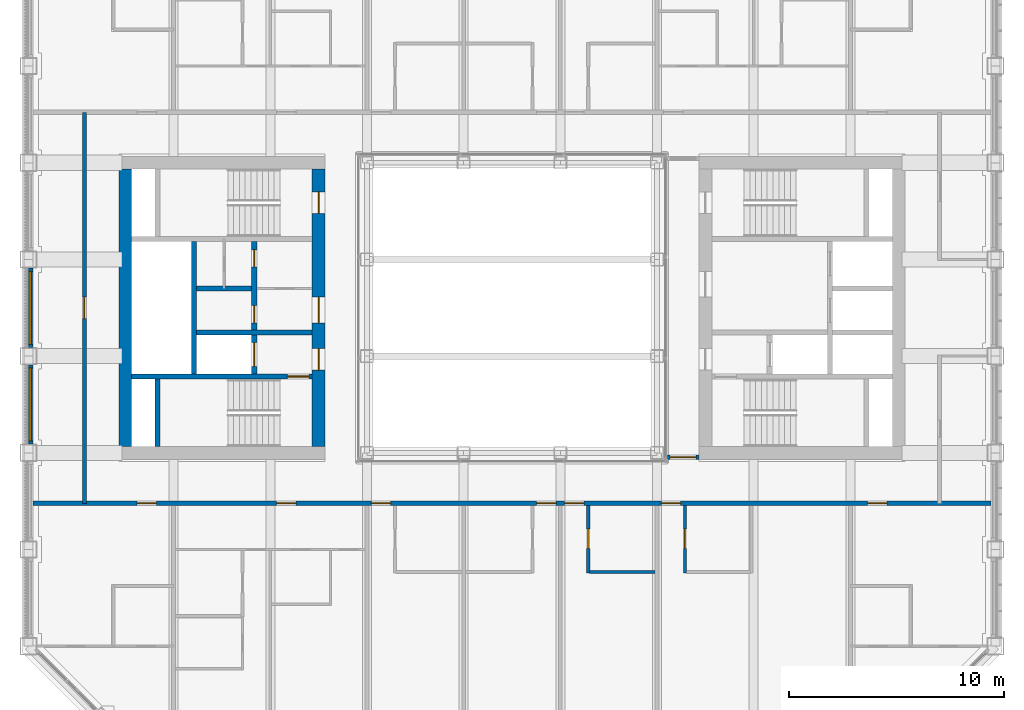
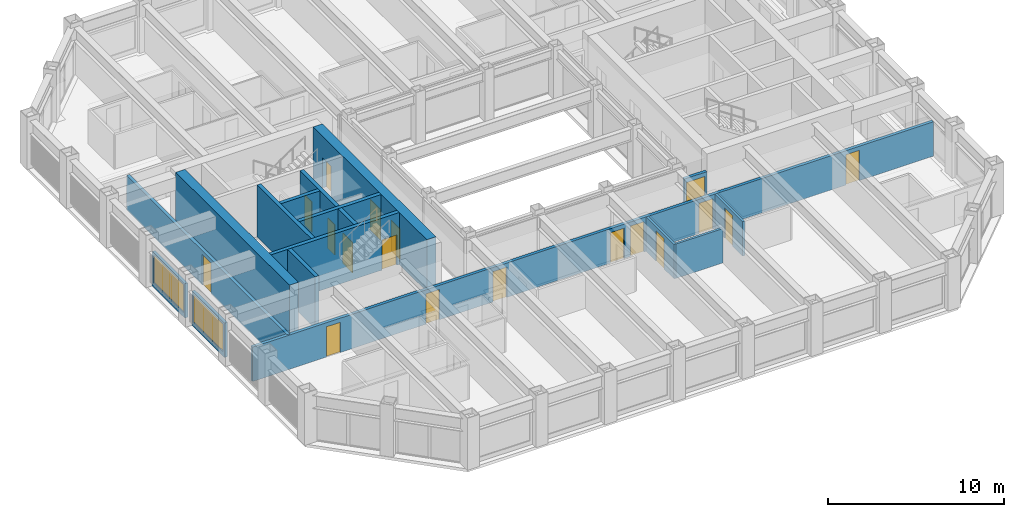
# One storey, part 11 of 18: 18 doors, 16 walls, 2 windows, 20 openings.
"""IFC4 building model written with IfcOpenShell, lengths in metres."""

from ifc_helpers import new_model, si_unit, direction, frame, frame_2d, origin, place, context, subcontext, project, spatial, rectangle, extrude, material, layer, layer_set, type_object, element, fill, save


model = new_model("IFC4")

# Units and contexts
model_context = context("Model", 3, precision=1e-05, world=origin(), true_north=direction((0.0, 1.0)))
body_context = subcontext(model_context, "Body", "Model", "MODEL_VIEW")
ifc_project = project(units=[si_unit("LENGTHUNIT", "METRE"), si_unit("AREAUNIT", "SQUARE_METRE"), si_unit("VOLUMEUNIT", "CUBIC_METRE"), si_unit("PLANEANGLEUNIT", "RADIAN"), si_unit("MASSUNIT", "GRAM", prefix="KILO")], contexts=[model_context])

# Site, building, storey
site_placement = place(None, origin())
site = spatial("IfcSite", under=ifc_project, at=site_placement, CompositionType="ELEMENT")
building_placement = place(site_placement, origin())
building = spatial("IfcBuilding", under=site, at=building_placement, Name="Msasa Ring Tower", CompositionType="ELEMENT")
storey_placement = place(building_placement, frame((0.0, 0.0, 186.800048828125)))
storey = spatial("IfcBuildingStorey", under=building, at=storey_placement, Name="L49", CompositionType="ELEMENT", Elevation=186.800048828125)

# Wall, openings, doors
ifc_material_1 = material(Name="Concrete C60/75", Category="concrete")
ifc_layer_1 = layer(ifc_material_1, 0.60009765625)
ifc_layer_set_1 = layer_set([ifc_layer_1], Name="CW2 CORE WALL 600")
wall_type_1 = type_object("IfcWallType", Name="CW2 CORE WALL 600", PredefinedType="SHEAR", material=ifc_layer_set_1)
wall_1_placement = place(storey_placement, frame((-9.0, -6.449951171875, 0.0), z_axis=(0.0, 0.0, 1.0), x_axis=(0.0, 1.0, 0.0)))
wall_1 = element("IfcWall", 1, at=wall_1_placement, inside=storey, type_object=wall_type_1, Name="W core wall W L49", PredefinedType="SHEAR", context=body_context, shape_type="SweptSolid", body=[
    extrude(rectangle(XDim=12.89990234375, YDim=0.60009765625, at=frame_2d((6.449951171875, 0.0))), origin(), (0.0, 0.0, 1.0), 3.599853515625),
])
opening_1_placement = place(wall_1_placement, frame((3.550048828125, 0.0, 0.0)))
opening_1 = element("IfcOpeningElement", 2, at=opening_1_placement, cuts=wall_1, Name="Opening HG-034", PredefinedType="OPENING", context=body_context, shape_type="SweptSolid", body=[
    extrude(rectangle(XDim=1.0, YDim=2.10009765625, at=frame_2d((0.5, 1.050048828125))), frame((0.0, 0.31005859375, 0.0), z_axis=(0.0, -1.0, 0.0), x_axis=(1.0, 0.0, 0.0)), (0.0, 0.0, 1.0), 0.6201171875),
])
opening_2_placement = place(wall_1_placement, frame((5.75, 0.0, 0.0)))
opening_2 = element("IfcOpeningElement", 3, at=opening_2_placement, cuts=wall_1, Name="Opening HG-032", PredefinedType="OPENING", context=body_context, shape_type="SweptSolid", body=[
    extrude(rectangle(XDim=1.199951171875, YDim=2.10009765625, at=frame_2d((0.60009765625, 1.050048828125))), frame((0.0, 0.31005859375, 0.0), z_axis=(0.0, -1.0, 0.0), x_axis=(1.0, 0.0, 0.0)), (0.0, 0.0, 1.0), 0.6201171875),
])
opening_3_placement = place(wall_1_placement, frame((10.85009765625, 0.0, 0.0)))
opening_3 = element("IfcOpeningElement", 4, at=opening_3_placement, cuts=wall_1, Name="Opening HG-025", PredefinedType="OPENING", context=body_context, shape_type="SweptSolid", body=[
    extrude(rectangle(XDim=1.0, YDim=2.10009765625, at=frame_2d((0.5, 1.050048828125))), frame((0.0, 0.31005859375, 0.0), z_axis=(0.0, -1.0, 0.0), x_axis=(1.0, 0.0, 0.0)), (0.0, 0.0, 1.0), 0.6201171875),
])
ifc_material_2 = material(Name="Timber door leaf in a steel frame", Category="steel")
door_type_1 = type_object("IfcDoorType", Name="D4 LOBBY DOOR 1000x2100", OperationType="SINGLE_SWING_LEFT", PredefinedType="DOOR", material=ifc_material_2)
door_1_placement = place(opening_1_placement, origin())
door_1 = element("IfcDoor", 5, at=door_1_placement, inside=storey, type_object=door_type_1, Name="Door L49-WFFL", OperationType="SINGLE_SWING_LEFT", OverallHeight=2.10009765625, OverallWidth=1.0, PredefinedType="DOOR", context=body_context, shape_type="SweptSolid", body=[
    extrude(rectangle(XDim=1.0, YDim=2.10009765625, at=frame_2d((0.5, 1.050048828125))), frame((0.0, 0.02490234375, 0.0), z_axis=(0.0, -1.0, 0.0), x_axis=(1.0, 0.0, 0.0)), (0.0, 0.0, 1.0), 0.050048828125),
])
fill(opening_1, door_1)
ifc_material_3 = material(Name="Timber door leaf in a steel frame", Category="steel")
door_type_2 = type_object("IfcDoorType", Name="D5 WIDE LOBBY DOOR 1200x2100", OperationType="SINGLE_SWING_LEFT", PredefinedType="DOOR", material=ifc_material_3)
door_2_placement = place(opening_2_placement, origin())
door_2 = element("IfcDoor", 6, at=door_2_placement, inside=storey, type_object=door_type_2, Name="Door L49-WLL", OperationType="SINGLE_SWING_LEFT", OverallHeight=2.10009765625, OverallWidth=1.199951171875, PredefinedType="DOOR", context=body_context, shape_type="SweptSolid", body=[
    extrude(rectangle(XDim=1.199951171875, YDim=2.10009765625, at=frame_2d((0.60009765625, 1.050048828125))), frame((0.0, 0.02490234375, 0.0), z_axis=(0.0, -1.0, 0.0), x_axis=(1.0, 0.0, 0.0)), (0.0, 0.0, 1.0), 0.050048828125),
])
fill(opening_2, door_2)
ifc_material_4 = material(Name="Timber door leaf in a steel frame", Category="steel")
door_type_3 = type_object("IfcDoorType", Name="D6 STAIR DOOR 1000x2100", OperationType="SINGLE_SWING_LEFT", PredefinedType="DOOR", material=ifc_material_4)
door_3_placement = place(opening_3_placement, origin())
door_3 = element("IfcDoor", 7, at=door_3_placement, inside=storey, type_object=door_type_3, Name="Door L49-WSTB", OperationType="SINGLE_SWING_RIGHT", OverallHeight=2.10009765625, OverallWidth=1.0, PredefinedType="DOOR", context=body_context, shape_type="SweptSolid", body=[
    extrude(rectangle(XDim=1.0, YDim=2.10009765625, at=frame_2d((0.5, 1.050048828125))), frame((0.0, 0.02490234375, 0.0), z_axis=(0.0, -1.0, 0.0), x_axis=(1.0, 0.0, 0.0)), (0.0, 0.0, 1.0), 0.050048828125),
])
fill(opening_3, door_3)

# Wall
wall_2_placement = place(storey_placement, frame((-18.0, -6.449951171875, 0.0), z_axis=(0.0, 0.0, 1.0), x_axis=(0.0, 1.0, 0.0)))
element("IfcWall", 8, at=wall_2_placement, inside=storey, type_object=wall_type_1, Name="W core wall E L49", PredefinedType="SHEAR", context=body_context, shape_type="SweptSolid", body=[
    extrude(rectangle(XDim=12.89990234375, YDim=0.60009765625, at=frame_2d((6.449951171875, 0.0))), origin(), (0.0, 0.0, 1.0), 3.599853515625),
])

# Wall, opening, door
ifc_material_5 = material(Name="Concrete C60/75", Category="concrete")
ifc_layer_2 = layer(ifc_material_5, 0.25)
ifc_layer_set_2 = layer_set([ifc_layer_2], Name="CW4 CORE INNER WALL 250")
wall_type_2 = type_object("IfcWallType", Name="CW4 CORE INNER WALL 250", PredefinedType="SHEAR", material=ifc_layer_set_2)
wall_3_placement = place(storey_placement, frame((-9.300048828125, -3.199951171875, 0.0), z_axis=(0.0, 0.0, 1.0), x_axis=(-1.0, 0.0, 0.0)))
wall_3 = element("IfcWall", 9, at=wall_3_placement, inside=storey, type_object=wall_type_2, Name="W core wall STAIRA L49", PredefinedType="SHEAR", context=body_context, shape_type="SweptSolid", body=[
    extrude(rectangle(XDim=8.39990234375, YDim=0.25, at=frame_2d((4.199951171875, 0.0))), origin(), (0.0, 0.0, 1.0), 3.599853515625),
])
opening_4_placement = place(wall_3_placement, frame((0.14990234375, 0.0, 0.0)))
opening_4 = element("IfcOpeningElement", 10, at=opening_4_placement, cuts=wall_3, Name="Opening HG-036", PredefinedType="OPENING", context=body_context, shape_type="SweptSolid", body=[
    extrude(rectangle(XDim=1.0, YDim=2.10009765625, at=frame_2d((0.5, 1.050048828125))), frame((0.0, 0.135009765625, 0.0), z_axis=(0.0, -1.0, 0.0), x_axis=(1.0, 0.0, 0.0)), (0.0, 0.0, 1.0), 0.27001953125),
])
door_4_placement = place(opening_4_placement, origin())
door_4 = element("IfcDoor", 11, at=door_4_placement, inside=storey, type_object=door_type_3, Name="Door L49-WSTA", OperationType="SINGLE_SWING_LEFT", OverallHeight=2.10009765625, OverallWidth=1.0, PredefinedType="DOOR", context=body_context, shape_type="SweptSolid", body=[
    extrude(rectangle(XDim=1.0, YDim=2.10009765625, at=frame_2d((0.5, 1.050048828125))), frame((0.0, 0.02490234375, 0.0), z_axis=(0.0, -1.0, 0.0), x_axis=(1.0, 0.0, 0.0)), (0.0, 0.0, 1.0), 0.050048828125),
])
fill(opening_4, door_4)

# Walls
wall_4_placement = place(storey_placement, frame((-16.5, -6.449951171875, 0.0), z_axis=(0.0, 0.0, 1.0), x_axis=(0.0, 1.0, 0.0)))
element("IfcWall", 12, at=wall_4_placement, inside=storey, type_object=wall_type_2, Name="W core wall RISERA L49", PredefinedType="SHEAR", context=body_context, shape_type="SweptSolid", body=[
    extrude(rectangle(XDim=3.125, YDim=0.25, at=frame_2d((1.5625, 0.0))), origin(), (0.0, 0.0, 1.0), 3.599853515625),
])
wall_5_placement = place(storey_placement, frame((-9.300048828125, -1.14990234375, 0.0), z_axis=(0.0, 0.0, 1.0), x_axis=(-1.0, 0.0, 0.0)))
element("IfcWall", 13, at=wall_5_placement, inside=storey, type_object=wall_type_2, Name="W core wall FFL L49", PredefinedType="SHEAR", context=body_context, shape_type="SweptSolid", body=[
    extrude(rectangle(XDim=5.375, YDim=0.25, at=frame_2d((2.6875, 0.0))), origin(), (0.0, 0.0, 1.0), 3.599853515625),
])

# Wall, openings, doors
wall_6_placement = place(storey_placement, frame((-12.0, -3.074951171875, 0.0), z_axis=(0.0, 0.0, 1.0), x_axis=(0.0, 1.0, 0.0)))
wall_6 = element("IfcWall", 14, at=wall_6_placement, inside=storey, type_object=wall_type_2, Name="W core wall LOBBY L49", PredefinedType="SHEAR", context=body_context, shape_type="SweptSolid", body=[
    extrude(rectangle(XDim=6.14990234375, YDim=0.25, at=frame_2d((3.074951171875, 0.0))), origin(), (0.0, 0.0, 1.0), 3.599853515625),
])
opening_5_placement = place(wall_6_placement, frame((2.375, 0.0, 0.0)))
opening_5 = element("IfcOpeningElement", 15, at=opening_5_placement, cuts=wall_6, Name="Opening HG-033", PredefinedType="OPENING", context=body_context, shape_type="SweptSolid", body=[
    extrude(rectangle(XDim=0.800048828125, YDim=2.10009765625, at=frame_2d((0.39990234375, 1.050048828125))), frame((0.0, 0.135009765625, 0.0), z_axis=(0.0, -1.0, 0.0), x_axis=(1.0, 0.0, 0.0)), (0.0, 0.0, 1.0), 0.27001953125),
])
opening_6_placement = place(wall_6_placement, frame((4.97509765625, 0.0, 0.0)))
opening_6 = element("IfcOpeningElement", 16, at=opening_6_placement, cuts=wall_6, Name="Opening HG-027", PredefinedType="OPENING", context=body_context, shape_type="SweptSolid", body=[
    extrude(rectangle(XDim=0.800048828125, YDim=2.10009765625, at=frame_2d((0.39990234375, 1.050048828125))), frame((0.0, 0.135009765625, 0.0), z_axis=(0.0, -1.0, 0.0), x_axis=(1.0, 0.0, 0.0)), (0.0, 0.0, 1.0), 0.27001953125),
])
opening_7_placement = place(wall_6_placement, frame((0.35009765625, 0.0, 0.0)))
opening_7 = element("IfcOpeningElement", 17, at=opening_7_placement, cuts=wall_6, Name="Opening LD1", PredefinedType="OPENING", context=body_context, shape_type="SweptSolid", body=[
    extrude(rectangle(XDim=1.10009765625, YDim=2.10009765625, at=frame_2d((0.550048828125, 1.050048828125))), frame((0.0, 0.135009765625, 0.0), z_axis=(0.0, -1.0, 0.0), x_axis=(1.0, 0.0, 0.0)), (0.0, 0.0, 1.0), 0.27001953125),
])
ifc_material_6 = material(Name="Timber door leaf in a steel frame", Category="steel")
door_type_4 = type_object("IfcDoorType", Name="D9 NARROW SERVICE DOOR 800x2100", OperationType="SINGLE_SWING_LEFT", PredefinedType="DOOR", material=ifc_material_6)
door_5_placement = place(opening_5_placement, origin())
door_5 = element("IfcDoor", 18, at=door_5_placement, inside=storey, type_object=door_type_4, Name="Door L49-WR1", OperationType="SINGLE_SWING_LEFT", OverallHeight=2.10009765625, OverallWidth=0.800048828125, PredefinedType="DOOR", context=body_context, shape_type="SweptSolid", body=[
    extrude(rectangle(XDim=0.800048828125, YDim=2.10009765625, at=frame_2d((0.39990234375, 1.050048828125))), frame((0.0, 0.02490234375, 0.0), z_axis=(0.0, -1.0, 0.0), x_axis=(1.0, 0.0, 0.0)), (0.0, 0.0, 1.0), 0.050048828125),
])
fill(opening_5, door_5)
door_6_placement = place(opening_6_placement, origin())
door_6 = element("IfcDoor", 19, at=door_6_placement, inside=storey, type_object=door_type_4, Name="Door L49-WR2", OperationType="SINGLE_SWING_RIGHT", OverallHeight=2.10009765625, OverallWidth=0.800048828125, PredefinedType="DOOR", context=body_context, shape_type="SweptSolid", body=[
    extrude(rectangle(XDim=0.800048828125, YDim=2.10009765625, at=frame_2d((0.39990234375, 1.050048828125))), frame((0.0, 0.02490234375, 0.0), z_axis=(0.0, -1.0, 0.0), x_axis=(1.0, 0.0, 0.0)), (0.0, 0.0, 1.0), 0.050048828125),
])
fill(opening_6, door_6)
ifc_material_7 = material(Name="Stainless steel lift landing door", Category="steel")
door_type_5 = type_object("IfcDoorType", Name="LD1 LIFT LANDING DOOR 1100x2100", OperationType="DOUBLE_DOOR_SLIDING", PredefinedType="DOOR", material=ifc_material_7)
door_7_placement = place(opening_7_placement, origin())
door_7 = element("IfcDoor", 20, at=door_7_placement, inside=storey, type_object=door_type_5, Name="Lift landing door FL-W L49", OperationType="DOUBLE_DOOR_SLIDING", OverallHeight=2.10009765625, OverallWidth=1.10009765625, PredefinedType="DOOR", context=body_context, shape_type="SweptSolid", body=[
    extrude(rectangle(XDim=1.10009765625, YDim=2.10009765625, at=frame_2d((0.550048828125, 1.050048828125))), frame((0.0, 0.02490234375, 0.0), z_axis=(0.0, -1.0, 0.0), x_axis=(1.0, 0.0, 0.0)), (0.0, 0.0, 1.0), 0.050048828125),
])
fill(opening_7, door_7)

# Walls
wall_7_placement = place(storey_placement, frame((-14.800048828125, -3.074951171875, 0.0), z_axis=(0.0, 0.0, 1.0), x_axis=(0.0, 1.0, 0.0)))
element("IfcWall", 21, at=wall_7_placement, inside=storey, type_object=wall_type_2, Name="W core wall SHAFT L49", PredefinedType="SHEAR", context=body_context, shape_type="SweptSolid", body=[
    extrude(rectangle(XDim=6.14990234375, YDim=0.25, at=frame_2d((3.074951171875, 0.0))), origin(), (0.0, 0.0, 1.0), 3.599853515625),
])
wall_8_placement = place(storey_placement, frame((-12.125, 0.89990234375, 0.0), z_axis=(0.0, 0.0, 1.0), x_axis=(-1.0, 0.0, 0.0)))
element("IfcWall", 22, at=wall_8_placement, inside=storey, type_object=wall_type_2, Name="W core wall LIFT1 L49", PredefinedType="SHEAR", context=body_context, shape_type="SweptSolid", body=[
    extrude(rectangle(XDim=2.550048828125, YDim=0.25, at=frame_2d((1.27490234375, 0.0))), origin(), (0.0, 0.0, 1.0), 3.599853515625),
])

# Wall, opening, window
ifc_material_8 = material(Name="Terracotta rainscreen on blockwork", Category="masonry")
ifc_layer_3 = layer(ifc_material_8, 0.199951171875)
ifc_layer_set_3 = layer_set([ifc_layer_3], Name="FW1 TERRACOTTA-LINED INFILL BAY WALL 200")
wall_type_3 = type_object("IfcWallType", Name="FW1 TERRACOTTA-LINED INFILL BAY WALL 200", PredefinedType="SOLIDWALL", material=ifc_layer_set_3)
wall_9_placement = place(storey_placement, frame((-22.39990234375, -6.344970703125, 0.0), z_axis=(0.0, 0.0, 1.0), x_axis=(0.0, 1.0, 0.0)))
wall_9 = element("IfcWall", 23, at=wall_9_placement, inside=storey, type_object=wall_type_3, Name="Infill bay wall W L49 29", PredefinedType="SOLIDWALL", context=body_context, shape_type="SweptSolid", body=[
    extrude(rectangle(XDim=3.68994140625, YDim=0.199951171875, at=frame_2d((1.844970703125, 0.0))), origin(), (0.0, 0.0, 1.0), 2.37890625),
])
opening_8_placement = place(wall_9_placement, frame((0.14501953125, 0.0, 0.300048828125)))
opening_8 = element("IfcOpeningElement", 24, at=opening_8_placement, cuts=wall_9, Name="Opening WN7", PredefinedType="OPENING", context=body_context, shape_type="SweptSolid", body=[
    extrude(rectangle(XDim=3.39990234375, YDim=1.928955078125, at=frame_2d((1.699951171875, 0.96435546875))), frame((0.0, 0.10986328125, 0.0), z_axis=(0.0, -1.0, 0.0), x_axis=(1.0, 0.0, 0.0)), (0.0, 0.0, 1.0), 0.219970703125),
])
ifc_material_9 = material(Name="Aluminium frame with clear glass", Category="aluminium")
window_type = type_object("IfcWindowType", Name="WN7 GUEST ROOM WINDOW 3400x1929", PartitioningType="SINGLE_PANEL", PredefinedType="WINDOW", material=ifc_material_9)
window_1_placement = place(opening_8_placement, origin())
window_1 = element("IfcWindow", 25, at=window_1_placement, inside=storey, type_object=window_type, Name="Window W L49 29", OverallHeight=1.928955078125, OverallWidth=3.39990234375, PartitioningType="SINGLE_PANEL", PredefinedType="WINDOW", context=body_context, shape_type="SweptSolid", body=[
    extrude(rectangle(XDim=3.39990234375, YDim=1.928955078125, at=frame_2d((1.699951171875, 0.96435546875))), frame((0.0, 0.030029296875, 0.0), z_axis=(0.0, -1.0, 0.0), x_axis=(1.0, 0.0, 0.0)), (0.0, 0.0, 1.0), 0.06005859375),
])
fill(opening_8, window_1)

wall_10_placement = place(storey_placement, frame((-22.39990234375, -1.844970703125, 0.0), z_axis=(0.0, 0.0, 1.0), x_axis=(0.0, 1.0, 0.0)))
wall_10 = element("IfcWall", 26, at=wall_10_placement, inside=storey, type_object=wall_type_3, Name="Infill bay wall W L49 30", PredefinedType="SOLIDWALL", context=body_context, shape_type="SweptSolid", body=[
    extrude(rectangle(XDim=3.68994140625, YDim=0.199951171875, at=frame_2d((1.844970703125, 0.0))), origin(), (0.0, 0.0, 1.0), 2.37890625),
])
opening_9_placement = place(wall_10_placement, frame((0.14501953125, 0.0, 0.300048828125)))
opening_9 = element("IfcOpeningElement", 27, at=opening_9_placement, cuts=wall_10, Name="Opening WN7", PredefinedType="OPENING", context=body_context, shape_type="SweptSolid", body=[
    extrude(rectangle(XDim=3.39990234375, YDim=1.928955078125, at=frame_2d((1.699951171875, 0.96435546875))), frame((0.0, 0.10986328125, 0.0), z_axis=(0.0, -1.0, 0.0), x_axis=(1.0, 0.0, 0.0)), (0.0, 0.0, 1.0), 0.219970703125),
])
window_2_placement = place(opening_9_placement, origin())
window_2 = element("IfcWindow", 28, at=window_2_placement, inside=storey, type_object=window_type, Name="Window W L49 30", OverallHeight=1.928955078125, OverallWidth=3.39990234375, PartitioningType="SINGLE_PANEL", PredefinedType="WINDOW", context=body_context, shape_type="SweptSolid", body=[
    extrude(rectangle(XDim=3.39990234375, YDim=1.928955078125, at=frame_2d((1.699951171875, 0.96435546875))), frame((0.0, 0.030029296875, 0.0), z_axis=(0.0, -1.0, 0.0), x_axis=(1.0, 0.0, 0.0)), (0.0, 0.0, 1.0), 0.06005859375),
])
fill(opening_9, window_2)

# Wall, opening, door
ifc_material_10 = material(Name="Concrete blockwork", Category="masonry")
ifc_layer_4 = layer(ifc_material_10, 0.199951171875)
ifc_layer_set_4 = layer_set([ifc_layer_4], Name="PT1 CORRIDOR WALL 200")
wall_type_4 = type_object("IfcWallType", Name="PT1 CORRIDOR WALL 200", PredefinedType="PARTITIONING", material=ifc_layer_set_4)
wall_11_placement = place(storey_placement, frame((7.22998046875, -6.949951171875, 0.0), z_axis=(0.0, 0.0, 1.0), x_axis=(1.0, 0.0, 0.0)))
wall_11 = element("IfcWall", 29, at=wall_11_placement, inside=storey, type_object=wall_type_4, Name="Corridor wall L49-SDES", PredefinedType="PARTITIONING", context=body_context, shape_type="SweptSolid", body=[
    extrude(rectangle(XDim=1.469970703125, YDim=0.199951171875, at=frame_2d((0.73486328125, 0.0))), origin(), (0.0, 0.0, 1.0), 2.37890625),
])
opening_10_placement = place(wall_11_placement, frame((0.135009765625, 0.0, 0.0)))
opening_10 = element("IfcOpeningElement", 30, at=opening_10_placement, cuts=wall_11, Name="Opening HG-039", PredefinedType="OPENING", context=body_context, shape_type="SweptSolid", body=[
    extrude(rectangle(XDim=1.199951171875, YDim=2.10009765625, at=frame_2d((0.60009765625, 1.050048828125))), frame((0.0, 0.10986328125, 0.0), z_axis=(0.0, -1.0, 0.0), x_axis=(1.0, 0.0, 0.0)), (0.0, 0.0, 1.0), 0.219970703125),
])
ifc_material_11 = material(Name="Timber door leaf in a steel frame", Category="steel")
door_type_6 = type_object("IfcDoorType", Name="D25 CORRIDOR PAIR OF SMOKE DOORS 1200x2100", OperationType="DOUBLE_DOOR_DOUBLE_SWING", PredefinedType="DOOR", material=ifc_material_11)
door_8_placement = place(opening_10_placement, origin())
door_8 = element("IfcDoor", 31, at=door_8_placement, inside=storey, type_object=door_type_6, Name="Door L49-SDES", OperationType="DOUBLE_DOOR_DOUBLE_SWING", OverallHeight=2.10009765625, OverallWidth=1.199951171875, PredefinedType="DOOR", context=body_context, shape_type="SweptSolid", body=[
    extrude(rectangle(XDim=1.199951171875, YDim=2.10009765625, at=frame_2d((0.60009765625, 1.050048828125))), frame((0.0, 0.02490234375, 0.0), z_axis=(0.0, -1.0, 0.0), x_axis=(1.0, 0.0, 0.0)), (0.0, 0.0, 1.0), 0.050048828125),
])
fill(opening_10, door_8)

# Wall, openings, doors
wall_12_placement = place(storey_placement, frame((-22.300048828125, -9.10009765625, 0.0), z_axis=(0.0, 0.0, 1.0), x_axis=(1.0, 0.0, 0.0)))
wall_12 = element("IfcWall", 32, at=wall_12_placement, inside=storey, type_object=wall_type_4, Name="Corridor wall L49-CORRS0", PredefinedType="PARTITIONING", context=body_context, shape_type="SweptSolid", body=[
    extrude(rectangle(XDim=44.60009765625, YDim=0.199951171875, at=frame_2d((22.300048828125, 0.0))), origin(), (0.0, 0.0, 1.0), 2.37890625),
])
opening_11_placement = place(wall_12_placement, frame((11.35009765625, 0.0, 0.0)))
opening_11 = element("IfcOpeningElement", 33, at=opening_11_placement, cuts=wall_12, Name="Opening HG-041", PredefinedType="OPENING", context=body_context, shape_type="SweptSolid", body=[
    extrude(rectangle(XDim=0.89990234375, YDim=2.10009765625, at=frame_2d((0.449951171875, 1.050048828125))), frame((0.0, 0.10986328125, 0.0), z_axis=(0.0, -1.0, 0.0), x_axis=(1.0, 0.0, 0.0)), (0.0, 0.0, 1.0), 0.219970703125),
])
opening_12_placement = place(wall_12_placement, frame((15.75, 0.0, 0.0)))
opening_12 = element("IfcOpeningElement", 34, at=opening_12_placement, cuts=wall_12, Name="Opening HG-042", PredefinedType="OPENING", context=body_context, shape_type="SweptSolid", body=[
    extrude(rectangle(XDim=0.89990234375, YDim=2.10009765625, at=frame_2d((0.449951171875, 1.050048828125))), frame((0.0, 0.10986328125, 0.0), z_axis=(0.0, -1.0, 0.0), x_axis=(1.0, 0.0, 0.0)), (0.0, 0.0, 1.0), 0.219970703125),
])
opening_13_placement = place(wall_12_placement, frame((23.449951171875, 0.0, 0.0)))
opening_13 = element("IfcOpeningElement", 35, at=opening_13_placement, cuts=wall_12, Name="Opening HG-043", PredefinedType="OPENING", context=body_context, shape_type="SweptSolid", body=[
    extrude(rectangle(XDim=0.89990234375, YDim=2.10009765625, at=frame_2d((0.449951171875, 1.050048828125))), frame((0.0, 0.10986328125, 0.0), z_axis=(0.0, -1.0, 0.0), x_axis=(1.0, 0.0, 0.0)), (0.0, 0.0, 1.0), 0.219970703125),
])
opening_14_placement = place(wall_12_placement, frame((24.75, 0.0, 0.0)))
opening_14 = element("IfcOpeningElement", 36, at=opening_14_placement, cuts=wall_12, Name="Opening HG-044", PredefinedType="OPENING", context=body_context, shape_type="SweptSolid", body=[
    extrude(rectangle(XDim=0.89990234375, YDim=2.10009765625, at=frame_2d((0.449951171875, 1.050048828125))), frame((0.0, 0.10986328125, 0.0), z_axis=(0.0, -1.0, 0.0), x_axis=(1.0, 0.0, 0.0)), (0.0, 0.0, 1.0), 0.219970703125),
])
opening_15_placement = place(wall_12_placement, frame((29.25, 0.0, 0.0)))
opening_15 = element("IfcOpeningElement", 37, at=opening_15_placement, cuts=wall_12, Name="Opening HG-045", PredefinedType="OPENING", context=body_context, shape_type="SweptSolid", body=[
    extrude(rectangle(XDim=0.89990234375, YDim=2.10009765625, at=frame_2d((0.449951171875, 1.050048828125))), frame((0.0, 0.10986328125, 0.0), z_axis=(0.0, -1.0, 0.0), x_axis=(1.0, 0.0, 0.0)), (0.0, 0.0, 1.0), 0.219970703125),
])
opening_16_placement = place(wall_12_placement, frame((38.85009765625, 0.0, 0.0)))
opening_16 = element("IfcOpeningElement", 38, at=opening_16_placement, cuts=wall_12, Name="Opening HG-046", PredefinedType="OPENING", context=body_context, shape_type="SweptSolid", body=[
    extrude(rectangle(XDim=0.89990234375, YDim=2.10009765625, at=frame_2d((0.449951171875, 1.050048828125))), frame((0.0, 0.10986328125, 0.0), z_axis=(0.0, -1.0, 0.0), x_axis=(1.0, 0.0, 0.0)), (0.0, 0.0, 1.0), 0.219970703125),
])
opening_17_placement = place(wall_12_placement, frame((4.85009765625, 0.0, 0.0)))
opening_17 = element("IfcOpeningElement", 39, at=opening_17_placement, cuts=wall_12, Name="Opening HG-040", PredefinedType="OPENING", context=body_context, shape_type="SweptSolid", body=[
    extrude(rectangle(XDim=0.89990234375, YDim=2.10009765625, at=frame_2d((0.449951171875, 1.050048828125))), frame((0.0, 0.10986328125, 0.0), z_axis=(0.0, -1.0, 0.0), x_axis=(1.0, 0.0, 0.0)), (0.0, 0.0, 1.0), 0.219970703125),
])
ifc_material_12 = material(Name="Timber door leaf in a steel frame", Category="steel")
door_type_7 = type_object("IfcDoorType", Name="D1 SINGLE DOOR TO CORRIDOR 900x2100", OperationType="SINGLE_SWING_LEFT", PredefinedType="DOOR", material=ifc_material_12)
door_9_placement = place(opening_12_placement, origin())
door_9 = element("IfcDoor", 40, at=door_9_placement, inside=storey, type_object=door_type_7, Name="Door L49-GS01", OperationType="SINGLE_SWING_LEFT", OverallHeight=2.10009765625, OverallWidth=0.89990234375, PredefinedType="DOOR", context=body_context, shape_type="SweptSolid", body=[
    extrude(rectangle(XDim=0.89990234375, YDim=2.10009765625, at=frame_2d((0.449951171875, 1.050048828125))), frame((0.0, 0.02490234375, 0.0), z_axis=(0.0, -1.0, 0.0), x_axis=(1.0, 0.0, 0.0)), (0.0, 0.0, 1.0), 0.050048828125),
])
fill(opening_12, door_9)
door_10_placement = place(opening_13_placement, origin())
door_10 = element("IfcDoor", 41, at=door_10_placement, inside=storey, type_object=door_type_7, Name="Door L49-GS02", OperationType="SINGLE_SWING_RIGHT", OverallHeight=2.10009765625, OverallWidth=0.89990234375, PredefinedType="DOOR", context=body_context, shape_type="SweptSolid", body=[
    extrude(rectangle(XDim=0.89990234375, YDim=2.10009765625, at=frame_2d((0.449951171875, 1.050048828125))), frame((0.0, 0.02490234375, 0.0), z_axis=(0.0, -1.0, 0.0), x_axis=(1.0, 0.0, 0.0)), (0.0, 0.0, 1.0), 0.050048828125),
])
fill(opening_13, door_10)
door_11_placement = place(opening_14_placement, origin())
door_11 = element("IfcDoor", 42, at=door_11_placement, inside=storey, type_object=door_type_7, Name="Door L49-GS03", OperationType="SINGLE_SWING_RIGHT", OverallHeight=2.10009765625, OverallWidth=0.89990234375, PredefinedType="DOOR", context=body_context, shape_type="SweptSolid", body=[
    extrude(rectangle(XDim=0.89990234375, YDim=2.10009765625, at=frame_2d((0.449951171875, 1.050048828125))), frame((0.0, 0.02490234375, 0.0), z_axis=(0.0, -1.0, 0.0), x_axis=(1.0, 0.0, 0.0)), (0.0, 0.0, 1.0), 0.050048828125),
])
fill(opening_14, door_11)
door_12_placement = place(opening_15_placement, origin())
door_12 = element("IfcDoor", 43, at=door_12_placement, inside=storey, type_object=door_type_7, Name="Door L49-GS04", OperationType="SINGLE_SWING_RIGHT", OverallHeight=2.10009765625, OverallWidth=0.89990234375, PredefinedType="DOOR", context=body_context, shape_type="SweptSolid", body=[
    extrude(rectangle(XDim=0.89990234375, YDim=2.10009765625, at=frame_2d((0.449951171875, 1.050048828125))), frame((0.0, 0.02490234375, 0.0), z_axis=(0.0, -1.0, 0.0), x_axis=(1.0, 0.0, 0.0)), (0.0, 0.0, 1.0), 0.050048828125),
])
fill(opening_15, door_12)
ifc_material_13 = material(Name="Timber door leaf in a steel frame", Category="steel")
door_type_8 = type_object("IfcDoorType", Name="D2 ENTRANCE DOOR 900x2100", OperationType="SINGLE_SWING_LEFT", PredefinedType="DOOR", material=ifc_material_13)
door_13_placement = place(opening_11_placement, origin())
door_13 = element("IfcDoor", 44, at=door_13_placement, inside=storey, type_object=door_type_8, Name="Door L49-GS00", OperationType="SINGLE_SWING_LEFT", OverallHeight=2.10009765625, OverallWidth=0.89990234375, PredefinedType="DOOR", context=body_context, shape_type="SweptSolid", body=[
    extrude(rectangle(XDim=0.89990234375, YDim=2.10009765625, at=frame_2d((0.449951171875, 1.050048828125))), frame((0.0, 0.02490234375, 0.0), z_axis=(0.0, -1.0, 0.0), x_axis=(1.0, 0.0, 0.0)), (0.0, 0.0, 1.0), 0.050048828125),
])
fill(opening_11, door_13)
door_14_placement = place(opening_16_placement, origin())
door_14 = element("IfcDoor", 45, at=door_14_placement, inside=storey, type_object=door_type_8, Name="Door L49-CSSE", OperationType="SINGLE_SWING_RIGHT", OverallHeight=2.10009765625, OverallWidth=0.89990234375, PredefinedType="DOOR", context=body_context, shape_type="SweptSolid", body=[
    extrude(rectangle(XDim=0.89990234375, YDim=2.10009765625, at=frame_2d((0.449951171875, 1.050048828125))), frame((0.0, 0.02490234375, 0.0), z_axis=(0.0, -1.0, 0.0), x_axis=(1.0, 0.0, 0.0)), (0.0, 0.0, 1.0), 0.050048828125),
])
fill(opening_16, door_14)
door_15_placement = place(opening_17_placement, origin())
door_15 = element("IfcDoor", 46, at=door_15_placement, inside=storey, type_object=door_type_8, Name="Door L49-CSSW", OperationType="SINGLE_SWING_LEFT", OverallHeight=2.10009765625, OverallWidth=0.89990234375, PredefinedType="DOOR", context=body_context, shape_type="SweptSolid", body=[
    extrude(rectangle(XDim=0.89990234375, YDim=2.10009765625, at=frame_2d((0.449951171875, 1.050048828125))), frame((0.0, 0.02490234375, 0.0), z_axis=(0.0, -1.0, 0.0), x_axis=(1.0, 0.0, 0.0)), (0.0, 0.0, 1.0), 0.050048828125),
])
fill(opening_17, door_15)

# Wall, opening, door
wall_13_placement = place(storey_placement, frame((-19.89990234375, -9.10009765625, 0.0), z_axis=(0.0, 0.0, 1.0), x_axis=(0.0, 1.0, 0.0)))
wall_13 = element("IfcWall", 47, at=wall_13_placement, inside=storey, type_object=wall_type_4, Name="Corridor wall L49-STRW", PredefinedType="PARTITIONING", context=body_context, shape_type="SweptSolid", body=[
    extrude(rectangle(XDim=18.2001953125, YDim=0.199951171875, at=frame_2d((9.10009765625, 0.0))), origin(), (0.0, 0.0, 1.0), 2.37890625),
])
opening_18_placement = place(wall_13_placement, frame((8.60009765625, 0.0, 0.0)))
opening_18 = element("IfcOpeningElement", 48, at=opening_18_placement, cuts=wall_13, Name="Opening HG-031", PredefinedType="OPENING", context=body_context, shape_type="SweptSolid", body=[
    extrude(rectangle(XDim=1.0, YDim=2.10009765625, at=frame_2d((0.5, 1.050048828125))), frame((0.0, 0.10986328125, 0.0), z_axis=(0.0, -1.0, 0.0), x_axis=(1.0, 0.0, 0.0)), (0.0, 0.0, 1.0), 0.219970703125),
])
ifc_material_14 = material(Name="Timber door leaf in a steel frame", Category="steel")
door_type_9 = type_object("IfcDoorType", Name="D10 STORE DOOR 1000x2100", OperationType="SINGLE_SWING_LEFT", PredefinedType="DOOR", material=ifc_material_14)
door_16_placement = place(opening_18_placement, origin())
door_16 = element("IfcDoor", 49, at=door_16_placement, inside=storey, type_object=door_type_9, Name="Door L49-LGW", OperationType="SINGLE_SWING_LEFT", OverallHeight=2.10009765625, OverallWidth=1.0, PredefinedType="DOOR", context=body_context, shape_type="SweptSolid", body=[
    extrude(rectangle(XDim=1.0, YDim=2.10009765625, at=frame_2d((0.5, 1.050048828125))), frame((0.0, 0.02490234375, 0.0), z_axis=(0.0, -1.0, 0.0), x_axis=(1.0, 0.0, 0.0)), (0.0, 0.0, 1.0), 0.050048828125),
])
fill(opening_18, door_16)

ifc_material_15 = material(Name="Moisture-resistant board on steel studs with a concealed cistern and pipe void, tiled", Category="steel")
ifc_layer_5 = layer(ifc_material_15, 0.14990234375)
ifc_layer_set_5 = layer_set([ifc_layer_5], Name="PT4 BATHROOM WET WALL 150")
wall_type_5 = type_object("IfcWallType", Name="PT4 BATHROOM WET WALL 150", PredefinedType="PARTITIONING", material=ifc_layer_set_5)
wall_14_placement = place(storey_placement, frame((3.550048828125, -12.35009765625, 0.0), z_axis=(0.0, 0.0, 1.0), x_axis=(0.0, 1.0, 0.0)))
wall_14 = element("IfcWall", 50, at=wall_14_placement, inside=storey, type_object=wall_type_5, Name="Partition L49-GS03BX", PredefinedType="PARTITIONING", context=body_context, shape_type="SweptSolid", body=[
    extrude(rectangle(XDim=3.150146484375, YDim=0.14990234375, at=frame_2d((1.5751953125, 0.0))), origin(), (0.0, 0.0, 1.0), 2.37890625),
])
opening_19_placement = place(wall_14_placement, frame((1.14990234375, 0.0, 0.0)))
opening_19 = element("IfcOpeningElement", 51, at=opening_19_placement, cuts=wall_14, Name="Opening HG-049", PredefinedType="OPENING", context=body_context, shape_type="SweptSolid", body=[
    extrude(rectangle(XDim=0.89990234375, YDim=2.10009765625, at=frame_2d((0.449951171875, 1.050048828125))), frame((0.0, 0.0849609375, 0.0), z_axis=(0.0, -1.0, 0.0), x_axis=(1.0, 0.0, 0.0)), (0.0, 0.0, 1.0), 0.169921875),
])
ifc_material_16 = material(Name="Timber door leaf in a steel frame", Category="steel")
door_type_10 = type_object("IfcDoorType", Name="D3 BATHROOM DOOR 900x2100", OperationType="SINGLE_SWING_LEFT", PredefinedType="DOOR", material=ifc_material_16)
door_17_placement = place(opening_19_placement, origin())
door_17 = element("IfcDoor", 52, at=door_17_placement, inside=storey, type_object=door_type_10, Name="Door L49-GS03B", OperationType="SINGLE_SWING_LEFT", OverallHeight=2.10009765625, OverallWidth=0.89990234375, PredefinedType="DOOR", context=body_context, shape_type="SweptSolid", body=[
    extrude(rectangle(XDim=0.89990234375, YDim=2.10009765625, at=frame_2d((0.449951171875, 1.050048828125))), frame((0.0, 0.02490234375, 0.0), z_axis=(0.0, -1.0, 0.0), x_axis=(1.0, 0.0, 0.0)), (0.0, 0.0, 1.0), 0.050048828125),
])
fill(opening_19, door_17)

# Wall
wall_15_placement = place(storey_placement, frame((3.60009765625, -12.300048828125, 0.0), z_axis=(0.0, 0.0, 1.0), x_axis=(1.0, 0.0, 0.0)))
element("IfcWall", 53, at=wall_15_placement, inside=storey, type_object=wall_type_5, Name="Partition L49-GS03BY", PredefinedType="PARTITIONING", context=body_context, shape_type="SweptSolid", body=[
    extrude(rectangle(XDim=3.0625, YDim=0.14990234375, at=frame_2d((1.53125, 0.0))), origin(), (0.0, 0.0, 1.0), 2.37890625),
])

# Wall, opening, door
wall_16_placement = place(storey_placement, frame((8.050048828125, -12.35009765625, 0.0), z_axis=(0.0, 0.0, 1.0), x_axis=(0.0, 1.0, 0.0)))
wall_16 = element("IfcWall", 54, at=wall_16_placement, inside=storey, type_object=wall_type_5, Name="Partition L49-GS04BX", PredefinedType="PARTITIONING", context=body_context, shape_type="SweptSolid", body=[
    extrude(rectangle(XDim=3.150146484375, YDim=0.14990234375, at=frame_2d((1.5751953125, 0.0))), origin(), (0.0, 0.0, 1.0), 2.37890625),
])
opening_20_placement = place(wall_16_placement, frame((1.14990234375, 0.0, 0.0)))
opening_20 = element("IfcOpeningElement", 55, at=opening_20_placement, cuts=wall_16, Name="Opening HG-050", PredefinedType="OPENING", context=body_context, shape_type="SweptSolid", body=[
    extrude(rectangle(XDim=0.89990234375, YDim=2.10009765625, at=frame_2d((0.449951171875, 1.050048828125))), frame((0.0, 0.0849609375, 0.0), z_axis=(0.0, -1.0, 0.0), x_axis=(1.0, 0.0, 0.0)), (0.0, 0.0, 1.0), 0.169921875),
])
door_18_placement = place(opening_20_placement, origin())
door_18 = element("IfcDoor", 56, at=door_18_placement, inside=storey, type_object=door_type_10, Name="Door L49-GS04B", OperationType="SINGLE_SWING_LEFT", OverallHeight=2.10009765625, OverallWidth=0.89990234375, PredefinedType="DOOR", context=body_context, shape_type="SweptSolid", body=[
    extrude(rectangle(XDim=0.89990234375, YDim=2.10009765625, at=frame_2d((0.449951171875, 1.050048828125))), frame((0.0, 0.02490234375, 0.0), z_axis=(0.0, -1.0, 0.0), x_axis=(1.0, 0.0, 0.0)), (0.0, 0.0, 1.0), 0.050048828125),
])
fill(opening_20, door_18)

save(model, "model.ifc")
